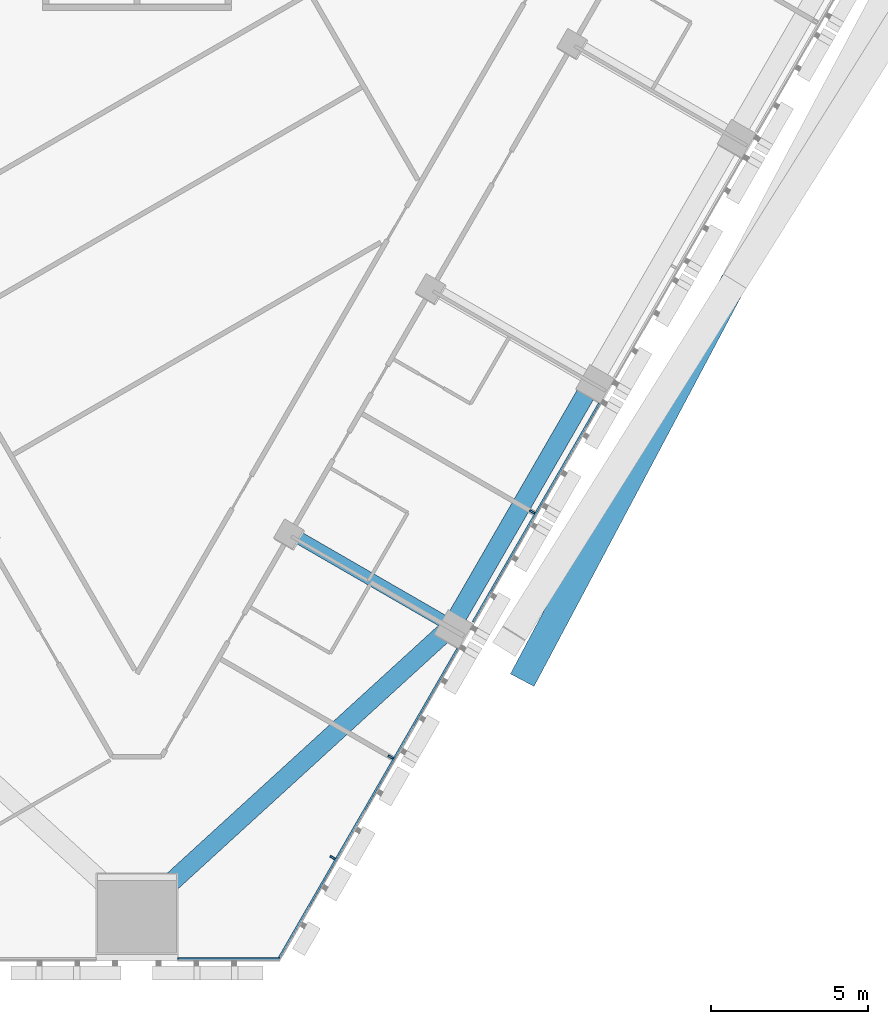
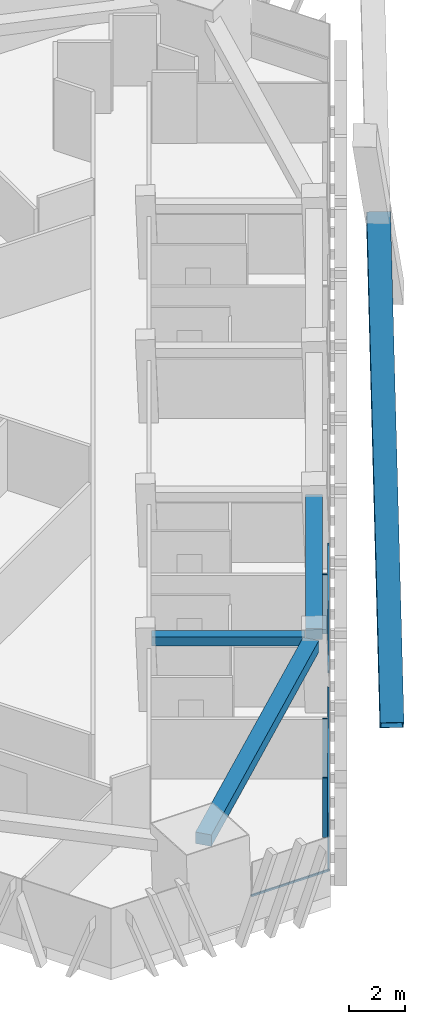
# One storey, part 5 of 19: 7 members, 3 beams, 2 elements without a shape of their own.
"""IFC4 building model written with IfcOpenShell, lengths in metres."""

from ifc_helpers import new_model, si_unit, direction, frame, origin, origin_2d, place, context, subcontext, project, spatial, rectangle, hollow_rectangle, extrude, material, layer, layer_set, material_profile, profile_set, type_object, element, aggregate, save


model = new_model("IFC4")

# Units and contexts
model_context = context("Model", 3, precision=1e-05, world=origin(), true_north=direction((0.0, 1.0)))
body_context = subcontext(model_context, "Body", "Model", "MODEL_VIEW")
ifc_project = project(units=[si_unit("LENGTHUNIT", "METRE"), si_unit("AREAUNIT", "SQUARE_METRE"), si_unit("VOLUMEUNIT", "CUBIC_METRE"), si_unit("PLANEANGLEUNIT", "RADIAN"), si_unit("MASSUNIT", "GRAM", prefix="KILO")], contexts=[model_context])

# Site, building, storey
site_placement = place(None, origin())
site = spatial("IfcSite", under=ifc_project, at=site_placement, CompositionType="ELEMENT")
building_placement = place(site_placement, origin())
building = spatial("IfcBuilding", under=site, at=building_placement, Name="Altiplano Prism Tower", CompositionType="ELEMENT")
storey_placement = place(building_placement, frame((0.0, 0.0, 70.199951171875)))
storey = spatial("IfcBuildingStorey", under=building, at=storey_placement, Name="L17", CompositionType="ELEMENT", Elevation=70.199951171875)

# Curtain wall, members
ifc_material_1 = material(Name="Aluminium and glass", Category="aluminium")
ifc_layer = layer(ifc_material_1, 0.280029296875)
ifc_layer_set = layer_set([ifc_layer], Name="Aluminium and glass")
curtain_wall_type = type_object("IfcCurtainWallType", Name="CW1 typical co-living unitised curtain wall", PredefinedType="NOTDEFINED", material=ifc_layer_set)
curtain_wall_1_placement = place(storey_placement, origin())
curtain_wall_1 = element("IfcCurtainWall", 1, at=curtain_wall_1_placement, inside=storey, type_object=curtain_wall_type, Name="CW1 curtain wall south-east face L17", PredefinedType="NOTDEFINED")
ifc_material_2 = material(Name="Aluminium", Category="aluminium")
ifc_material_profile_1 = material_profile(ifc_material_2, rectangle(XDim=0.179931640625, YDim=0.06494140625, at=origin_2d()), Name="CW1 mullion 65 x 180")
ifc_profile_set_1 = profile_set([ifc_material_profile_1], Name="Aluminium")
member_type_1 = type_object("IfcMemberType", Name="CW1 mullion 65 x 180", PredefinedType="MULLION", material=ifc_profile_set_1)
member_1_placement = place(storey_placement, frame((91.2177734375, 56.474853515625, 0.0), z_axis=(0.0, 0.0, 1.0), x_axis=(-0.86602540313, 0.500000001134, 0.0)))
member_1 = element("IfcMember", 2, at=member_1_placement, type_object=member_type_1, Name="CW1 mullion", PredefinedType="MULLION", context=body_context, shape_type="SweptSolid", body=[
    extrude(rectangle(XDim=0.179931640625, YDim=0.06494140625, at=origin_2d()), origin(), (0.0, 0.0, 1.0), 2.60009765625),
])
member_2_placement = place(storey_placement, frame((93.06201171875, 59.669189453125, 0.0), z_axis=(0.0, 0.0, 1.0), x_axis=(-0.86602540313, 0.500000001134, 0.0)))
member_2 = element("IfcMember", 3, at=member_2_placement, type_object=member_type_1, Name="CW1 mullion", PredefinedType="MULLION", context=body_context, shape_type="SweptSolid", body=[
    extrude(rectangle(XDim=0.179931640625, YDim=0.06494140625, at=origin_2d()), origin(), (0.0, 0.0, 1.0), 2.60009765625),
])
member_3_placement = place(storey_placement, frame((97.56201171875, 67.46337890625, 0.0), z_axis=(0.0, 0.0, 1.0), x_axis=(-0.86602540313, 0.500000001134, 0.0)))
member_3 = element("IfcMember", 4, at=member_3_placement, type_object=member_type_1, Name="CW1 mullion", PredefinedType="MULLION", context=body_context, shape_type="SweptSolid", body=[
    extrude(rectangle(XDim=0.179931640625, YDim=0.06494140625, at=origin_2d()), origin(), (0.0, 0.0, 1.0), 2.60009765625),
])

# Curtain wall, member
curtain_wall_2_placement = place(storey_placement, origin())
curtain_wall_2 = element("IfcCurtainWall", 5, at=curtain_wall_2_placement, inside=storey, type_object=curtain_wall_type, Name="CW1 curtain wall south chamfer L17", PredefinedType="NOTDEFINED")
ifc_material_profile_2 = material_profile(ifc_material_2, rectangle(XDim=0.06005859375, YDim=0.080078125, at=origin_2d()), Name="CW1 transom 80 x 60")
ifc_profile_set_2 = profile_set([ifc_material_profile_2], Name="Aluminium")
member_type_2 = type_object("IfcMemberType", Name="CW1 transom 80 x 60", PredefinedType="USERDEFINED", material=ifc_profile_set_2)
member_4_placement = place(storey_placement, frame((86.300048828125, 53.25537109375, 1.10009765625), z_axis=(1.0, 0.0, 0.0), x_axis=(0.0, 1.0, 0.0)))
member_4 = element("IfcMember", 6, at=member_4_placement, type_object=member_type_2, Name="CW1 transom", ObjectType="TRANSOM", PredefinedType="USERDEFINED", context=body_context, shape_type="SweptSolid", body=[
    extrude(rectangle(XDim=0.06005859375, YDim=0.080078125, at=origin_2d()), origin(), (0.0, 0.0, 1.0), 3.238037109375),
])
aggregate(curtain_wall_2, [member_4])

# Member
member_5_placement = place(storey_placement, frame((89.4775390625, 53.220458984375, 1.10009765625), z_axis=(0.499997418218, 0.866026894372, 0.0), x_axis=(-0.866026894372, 0.499997418218, 0.0)))
member_5 = element("IfcMember", 7, at=member_5_placement, type_object=member_type_2, Name="CW1 transom", ObjectType="TRANSOM", PredefinedType="USERDEFINED", context=body_context, shape_type="SweptSolid", body=[
    extrude(rectangle(XDim=0.06005859375, YDim=0.080078125, at=origin_2d()), origin(), (0.0, 0.0, 1.0), 11.42626953125),
])

member_6_placement = place(storey_placement, frame((95.6806640625, 63.96484375, 1.10009765625), z_axis=(0.500012318566, 0.86601829154, 0.0), x_axis=(-0.86601829154, 0.500012318566, 0.0)))
member_6 = element("IfcMember", 8, at=member_6_placement, type_object=member_type_2, Name="CW1 transom", ObjectType="TRANSOM", PredefinedType="USERDEFINED", context=body_context, shape_type="SweptSolid", body=[
    extrude(rectangle(XDim=0.06005859375, YDim=0.080078125, at=origin_2d()), origin(), (0.0, 0.0, 1.0), 8.019775390625),
])

aggregate(curtain_wall_1, [member_1, member_2, member_5, member_3, member_6])

# Beams
ifc_material_3 = material(Name="Concrete C60/75", Category="concrete")
ifc_material_profile_3 = material_profile(ifc_material_3, rectangle(XDim=0.60009765625, YDim=0.5, at=origin_2d()), Name="Edge beam 600x500")
ifc_profile_set_3 = profile_set([ifc_material_profile_3], Name="Concrete C60/75")
beam_type_1 = type_object("IfcBeamType", Name="Edge beam 600x500", PredefinedType="SPANDREL", material=ifc_profile_set_3)
beam_1_placement = place(storey_placement, frame((85.332275390625, 54.999267578125, 2.85009765625), z_axis=(0.738406310656, 0.674356078332, 0.0), x_axis=(-0.674356078332, 0.738406310656, 0.0)))
element("IfcBeam", 9, at=beam_1_placement, inside=storey, type_object=beam_type_1, Name="Edge beam M1-P21 L18", PredefinedType="SPANDREL", context=body_context, shape_type="SweptSolid", body=[
    extrude(rectangle(XDim=0.60009765625, YDim=0.5, at=origin_2d()), origin(), (0.0, 0.0, 1.0), 12.750244140625),
])
beam_2_placement = place(storey_placement, frame((95.171875, 64.12060546875, 2.85009765625), z_axis=(0.500014701701, 0.866016915587, 0.0), x_axis=(-0.866016915587, 0.500014701701, 0.0)))
element("IfcBeam", 10, at=beam_2_placement, inside=storey, type_object=beam_type_1, Name="Edge beam P21-P22 L18", PredefinedType="SPANDREL", context=body_context, shape_type="SweptSolid", body=[
    extrude(rectangle(XDim=0.60009765625, YDim=0.5, at=origin_2d()), origin(), (0.0, 0.0, 1.0), 8.340087890625),
])

# Member
ifc_material_4 = material(Name="Steel S355", Category="steel")
ifc_material_profile_4 = material_profile(ifc_material_4, hollow_rectangle(XDim=0.85009765625, YDim=0.85009765625, WallThickness=0.0400390625, at=origin_2d()), Name="Mega brace Box 850x850x40")
ifc_profile_set_4 = profile_set([ifc_material_profile_4], Name="Steel S355")
member_type_3 = type_object("IfcMemberType", Name="Mega brace Box 850x850x40", PredefinedType="BRACE", material=ifc_profile_set_4)
member_7_placement = place(storey_placement, frame((97.3818359375, 62.37109375, -0.849853515625), z_axis=(0.34515103862, 0.649538257495, 0.677473846425), x_axis=(-0.883068490023, 0.469244117628, 0.0)))
element("IfcMember", 11, at=member_7_placement, inside=storey, type_object=member_type_3, Name="Mega brace 2.2.1", PredefinedType="BRACE", context=body_context, shape_type="SweptSolid", body=[
    extrude(hollow_rectangle(XDim=0.85009765625, YDim=0.85009765625, WallThickness=0.0400390625, at=origin_2d()), origin(), (0.0, 0.0, 1.0), 18.74609375),
])

# Beam
ifc_material_profile_5 = material_profile(ifc_material_3, rectangle(XDim=0.39990234375, YDim=0.39990234375, at=origin_2d()), Name="Tie beam 400x400")
ifc_profile_set_5 = profile_set([ifc_material_profile_5], Name="Concrete C60/75")
beam_type_2 = type_object("IfcBeamType", Name="Tie beam 400x400", PredefinedType="BEAM", material=ifc_profile_set_5)
beam_3_placement = place(storey_placement, frame((89.966796875, 66.744873046875, 2.900146484375), z_axis=(0.866012292785, -0.50002270823, 0.0), x_axis=(0.50002270823, 0.866012292785, 0.0)))
element("IfcBeam", 12, at=beam_3_placement, inside=storey, type_object=beam_type_2, Name="Tie beam I21 L18", PredefinedType="BEAM", context=body_context, shape_type="SweptSolid", body=[
    extrude(rectangle(XDim=0.39990234375, YDim=0.39990234375, at=origin_2d()), origin(), (0.0, 0.0, 1.0), 5.489990234375),
])

save(model, "model.ifc")
